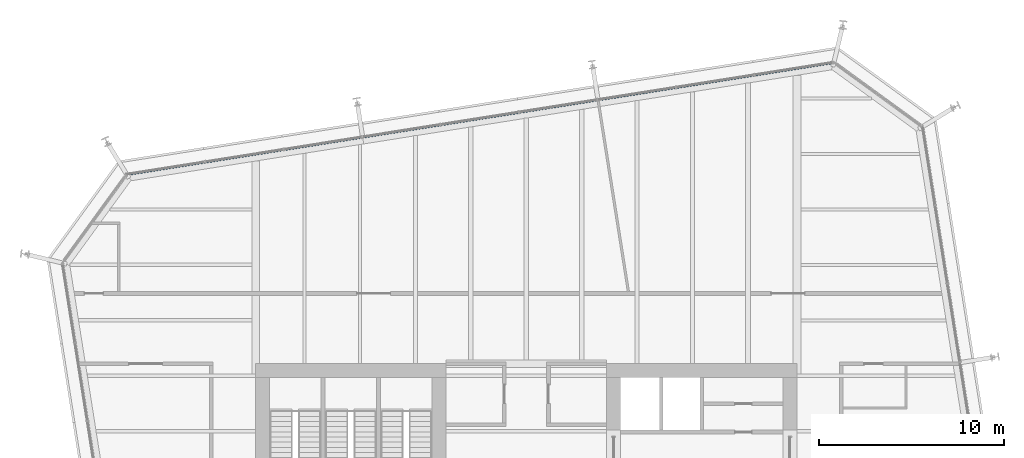
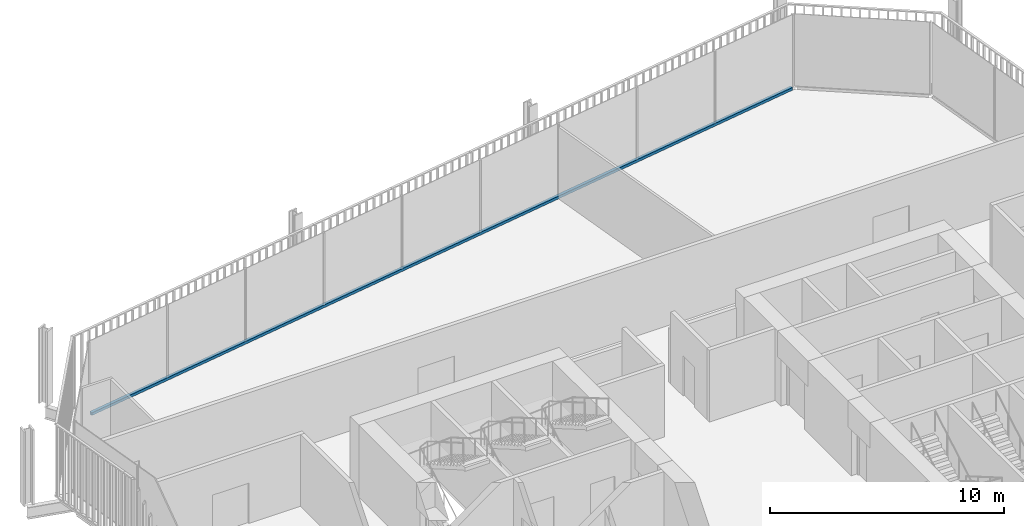
# One storey, part 12 of 21: 1 member, 1 element without a shape of its own.
"""IFC4 building model written with IfcOpenShell, lengths in metres."""

from ifc_helpers import new_model, si_unit, direction, frame, origin, origin_2d, place, context, subcontext, project, spatial, rectangle, extrude, material, layer, layer_set, material_profile, profile_set, type_object, element, aggregate, save


model = new_model("IFC4")

# Units and contexts
model_context = context("Model", 3, precision=1e-05, world=origin(), true_north=direction((0.0, 1.0)))
body_context = subcontext(model_context, "Body", "Model", "MODEL_VIEW")
ifc_project = project(units=[si_unit("LENGTHUNIT", "METRE"), si_unit("AREAUNIT", "SQUARE_METRE"), si_unit("VOLUMEUNIT", "CUBIC_METRE"), si_unit("PLANEANGLEUNIT", "RADIAN"), si_unit("MASSUNIT", "GRAM", prefix="KILO")], contexts=[model_context])

# Site, building, storey
site_placement = place(None, origin())
site = spatial("IfcSite", under=ifc_project, at=site_placement, CompositionType="ELEMENT")
building_placement = place(site_placement, origin())
building = spatial("IfcBuilding", under=site, at=building_placement, Name="Millrace Tower", CompositionType="ELEMENT")
storey_placement = place(building_placement, frame((0.0, 0.0, 149.0)))
storey = spatial("IfcBuildingStorey", under=building, at=storey_placement, Name="L33", CompositionType="ELEMENT", Elevation=149.0)

# Curtain wall, member
ifc_material_1 = material(Name="Aluminium and glass", Category="aluminium")
ifc_layer = layer(ifc_material_1, 0.14990234375)
ifc_layer_set = layer_set([ifc_layer], Name="Aluminium and glass")
curtain_wall_type = type_object("IfcCurtainWallType", Name="CW-1 office vision curtain wall", PredefinedType="NOTDEFINED", material=ifc_layer_set)
curtain_wall_placement = place(storey_placement, origin())
curtain_wall = element("IfcCurtainWall", 1, at=curtain_wall_placement, inside=storey, type_object=curtain_wall_type, Name="Curtain wall C-F06 L33", PredefinedType="NOTDEFINED")
ifc_material_2 = material(Name="Aluminium", Category="aluminium")
ifc_material_profile = material_profile(ifc_material_2, rectangle(XDim=0.14990234375, YDim=0.139892578125, at=origin_2d()))
ifc_profile_set = profile_set([ifc_material_profile], Name="Aluminium")
member_type = type_object("IfcMemberType", Name="CW-1 office vision curtain wall transom", PredefinedType="USERDEFINED", material=ifc_profile_set)
member_placement = place(storey_placement, frame((16.525146484375, 25.946044921875, 0.070068359375), z_axis=(-0.987688505691, -0.156433422663, 0.0), x_axis=(0.156433422663, -0.987688505691, 0.0)))
member = element("IfcMember", 2, at=member_placement, type_object=member_type, Name="CW1 transom C-F06.1", ObjectType="TRANSOM", PredefinedType="USERDEFINED", context=body_context, shape_type="SweptSolid", body=[
    extrude(rectangle(XDim=0.14990234375, YDim=0.139892578125, at=origin_2d()), origin(), (0.0, 0.0, 1.0), 38.5),
])
aggregate(curtain_wall, [member])

save(model, "model.ifc")
